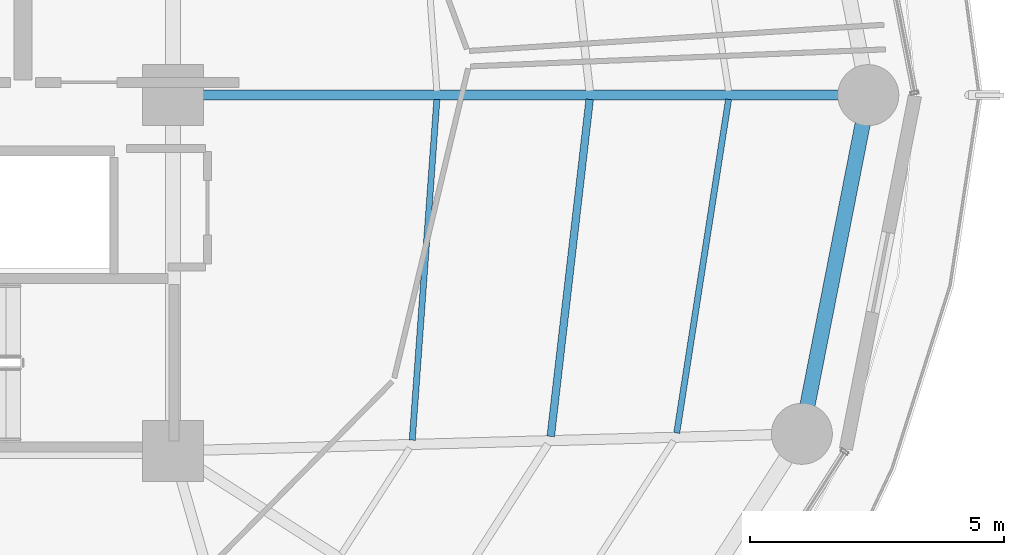
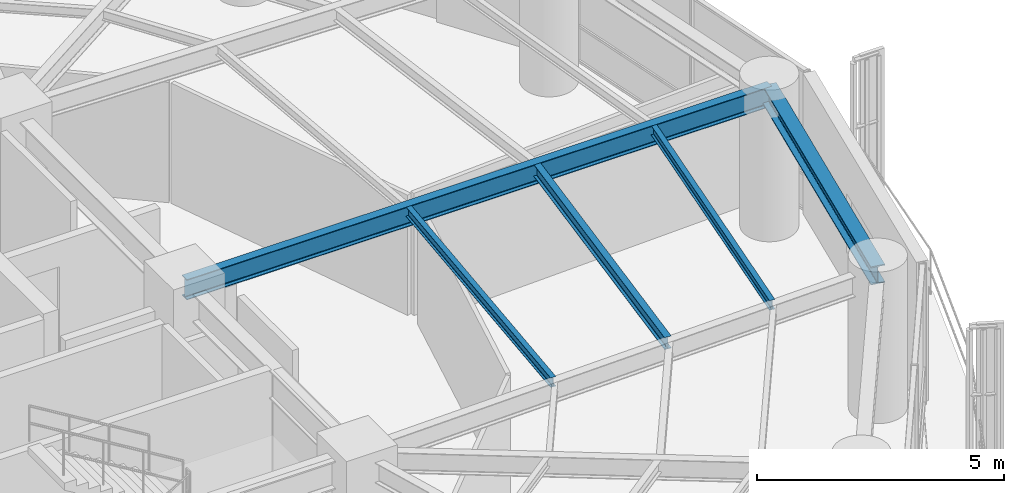
# One storey, part 12 of 28: 5 beams.
"""IFC4 building model written with IfcOpenShell, lengths in metres."""

from ifc_helpers import new_model, si_unit, direction, frame, origin, origin_2d, place, context, subcontext, project, spatial, i_section, extrude, material, material_profile, profile_set, type_object, element, save


model = new_model("IFC4")

# Units and contexts
model_context = context("Model", 3, precision=1e-05, world=origin(), true_north=direction((0.0, 1.0)))
body_context = subcontext(model_context, "Body", "Model", "MODEL_VIEW")
ifc_project = project(units=[si_unit("LENGTHUNIT", "METRE"), si_unit("AREAUNIT", "SQUARE_METRE"), si_unit("VOLUMEUNIT", "CUBIC_METRE"), si_unit("PLANEANGLEUNIT", "RADIAN"), si_unit("MASSUNIT", "GRAM", prefix="KILO")], contexts=[model_context])

# Site, building, storey
site_placement = place(None, origin())
site = spatial("IfcSite", under=ifc_project, at=site_placement, CompositionType="ELEMENT")
building_placement = place(site_placement, origin())
building = spatial("IfcBuilding", under=site, at=building_placement, Name="Kelanora Arch Commons", CompositionType="ELEMENT")
storey_placement = place(building_placement, frame((0.0, 0.0, 158.10009765625)))
storey = spatial("IfcBuildingStorey", under=building, at=storey_placement, Name="L40", CompositionType="ELEMENT", Elevation=158.10009765625)

# Beams
ifc_material = material(Name="Steel S355", Category="steel")
ifc_material_profile_1 = material_profile(ifc_material, i_section(OverallWidth=0.14990234375, OverallDepth=0.300048828125, WebThickness=0.007080078125, FlangeThickness=0.0107421875, FilletRadius=0.014892578125, at=origin_2d()), Name="IPE300")
ifc_profile_set_1 = profile_set([ifc_material_profile_1], Name="Steel S355")
beam_type_1 = type_object("IfcBeamType", Name="BM-JST-01", PredefinedType="JOIST", material=ifc_profile_set_1)
beam_1_placement = place(storey_placement, frame((89.43310546875, 51.286865234375, 3.33984375), z_axis=(0.114667159005, 0.9934039675, 0.0), x_axis=(-0.9934039675, 0.114667159005, 0.0)))
element("IfcBeam", 1, at=beam_1_placement, inside=storey, type_object=beam_type_1, Name="Secondary Chord Joist BJB-34 L40", PredefinedType="JOIST", context=body_context, shape_type="SweptSolid", body=[
    extrude(i_section(OverallWidth=0.14990234375, OverallDepth=0.300048828125, WebThickness=0.007080078125, FlangeThickness=0.0107421875, FilletRadius=0.014892578125, at=origin_2d()), origin(), (0.0, 0.0, 1.0), 6.672607421875),
])
ifc_material_profile_2 = material_profile(ifc_material, i_section(OverallWidth=0.1201171875, OverallDepth=0.239990234375, WebThickness=0.006103515625, FlangeThickness=0.009765625, FilletRadius=0.014892578125, at=origin_2d()), Name="IPE240")
ifc_profile_set_2 = profile_set([ifc_material_profile_2], Name="Steel S355")
beam_type_2 = type_object("IfcBeamType", Name="BM-JST-02", PredefinedType="JOIST", material=ifc_profile_set_2)
beam_2_placement = place(storey_placement, frame((86.707763671875, 51.212890625, 3.369873046875), z_axis=(0.072117123738, 0.997396170267, 0.0), x_axis=(-0.997396170267, 0.072117123738, 0.0)))
element("IfcBeam", 2, at=beam_2_placement, inside=storey, type_object=beam_type_2, Name="Secondary Chord Joist BJA-34 L40", PredefinedType="JOIST", context=body_context, shape_type="SweptSolid", body=[
    extrude(i_section(OverallWidth=0.1201171875, OverallDepth=0.239990234375, WebThickness=0.006103515625, FlangeThickness=0.009765625, FilletRadius=0.014892578125, at=origin_2d()), origin(), (0.0, 0.0, 1.0), 6.719970703125),
])
beam_3_placement = place(storey_placement, frame((91.9111328125, 51.35400390625, 3.369873046875), z_axis=(0.153562625853, 0.988138917329, 0.0), x_axis=(-0.988138917329, 0.153562625853, 0.0)))
element("IfcBeam", 3, at=beam_3_placement, inside=storey, type_object=beam_type_2, Name="Secondary Chord Joist BJC-34 L40", PredefinedType="JOIST", context=body_context, shape_type="SweptSolid", body=[
    extrude(i_section(OverallWidth=0.1201171875, OverallDepth=0.239990234375, WebThickness=0.006103515625, FlangeThickness=0.009765625, FilletRadius=0.014892578125, at=origin_2d()), origin(), (0.0, 0.0, 1.0), 6.640869140625),
])
ifc_material_profile_3 = material_profile(ifc_material, i_section(OverallWidth=0.199951171875, OverallDepth=0.5, WebThickness=0.01025390625, FlangeThickness=0.01611328125, FilletRadius=0.02099609375, at=origin_2d()), Name="IPE500")
ifc_profile_set_3 = profile_set([ifc_material_profile_3], Name="Steel S355")
beam_type_3 = type_object("IfcBeamType", Name="BM-RAD-Z3", PredefinedType="BEAM", material=ifc_profile_set_3)
beam_4_placement = place(storey_placement, frame((82.0, 58.0, 3.239990234375), z_axis=(1.0, 0.0, 0.0), x_axis=(0.0, 1.0, 0.0)))
element("IfcBeam", 4, at=beam_4_placement, inside=storey, type_object=beam_type_3, Name="Radial Floor Girder BR-00 L40", PredefinedType="BEAM", context=body_context, shape_type="SweptSolid", body=[
    extrude(i_section(OverallWidth=0.199951171875, OverallDepth=0.5, WebThickness=0.01025390625, FlangeThickness=0.01611328125, FilletRadius=0.02099609375, at=origin_2d()), origin(), (0.0, 0.0, 1.0), 13.679931640625),
])
ifc_material_profile_4 = material_profile(ifc_material, i_section(OverallWidth=0.300048828125, OverallDepth=0.449951171875, WebThickness=0.013916015625, FlangeThickness=0.02587890625, FilletRadius=0.027099609375, at=origin_2d()), Name="HEB450")
ifc_profile_set_4 = profile_set([ifc_material_profile_4], Name="Steel S355")
beam_type_4 = type_object("IfcBeamType", Name="BM-SPN-Z3", PredefinedType="SPANDREL", material=ifc_profile_set_4)
beam_5_placement = place(storey_placement, frame((94.37255859375, 51.33740234375, 3.264892578125), z_axis=(0.192553643556, 0.981286448675, 0.0), x_axis=(-0.981286448675, 0.192553643556, 0.0)))
element("IfcBeam", 5, at=beam_5_placement, inside=storey, type_object=beam_type_4, Name="Perimeter Spandrel Beam BS-34 L40", PredefinedType="SPANDREL", context=body_context, shape_type="SweptSolid", body=[
    extrude(i_section(OverallWidth=0.300048828125, OverallDepth=0.449951171875, WebThickness=0.013916015625, FlangeThickness=0.02587890625, FilletRadius=0.027099609375, at=origin_2d()), origin(), (0.0, 0.0, 1.0), 6.78955078125),
])

save(model, "model.ifc")
